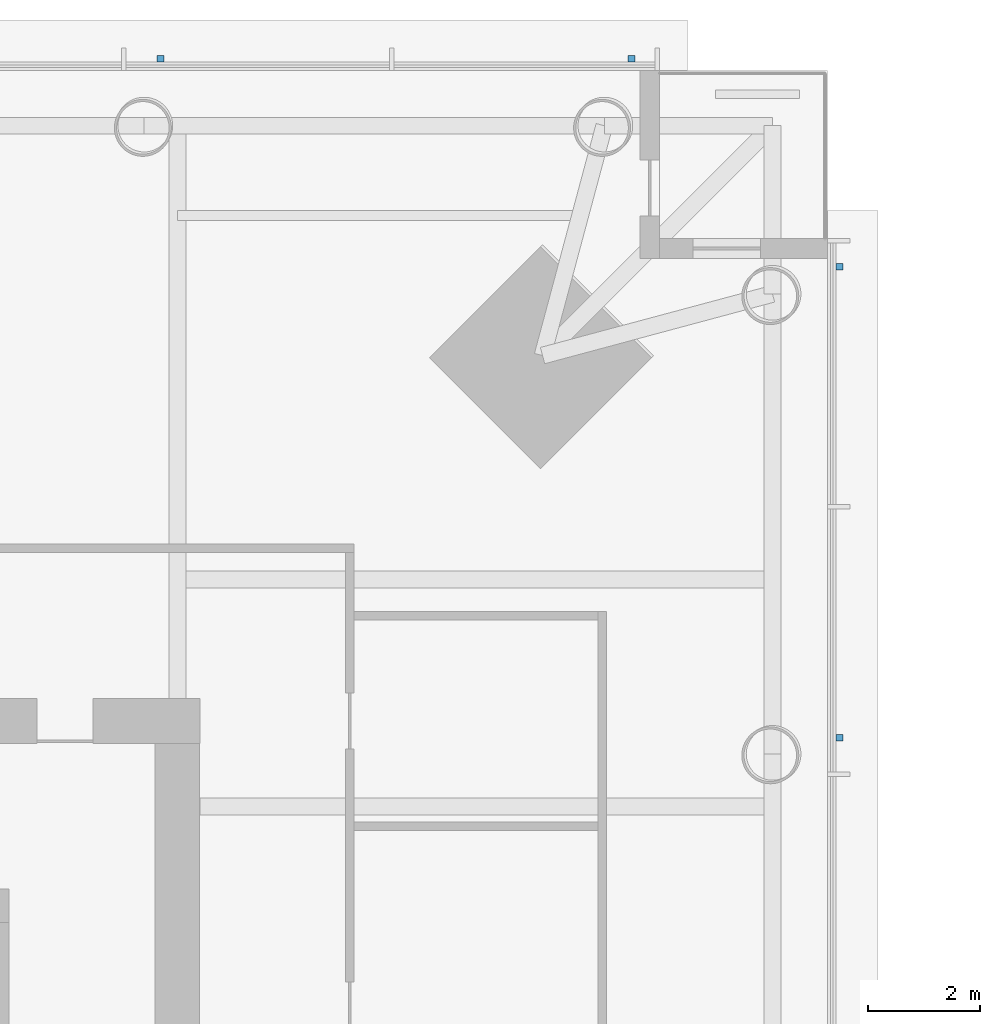
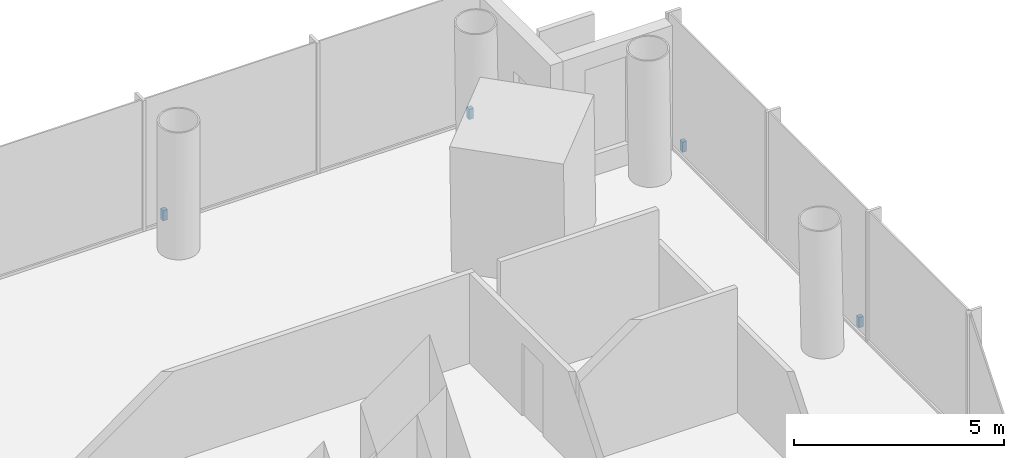
# One storey, part 21 of 26: 4 discrete accessories.
"""IFC4 building model written with IfcOpenShell, lengths in metres."""

from ifc_helpers import new_model, si_unit, direction, frame, origin, origin_2d, place, context, subcontext, project, spatial, rectangle, extrude, material, type_object, element, save


model = new_model("IFC4")

# Units and contexts
model_context = context("Model", 3, precision=1e-05, world=origin(), true_north=direction((0.0, 1.0)))
body_context = subcontext(model_context, "Body", "Model", "MODEL_VIEW")
ifc_project = project(units=[si_unit("LENGTHUNIT", "METRE"), si_unit("AREAUNIT", "SQUARE_METRE"), si_unit("VOLUMEUNIT", "CUBIC_METRE"), si_unit("PLANEANGLEUNIT", "RADIAN"), si_unit("MASSUNIT", "GRAM", prefix="KILO")], contexts=[model_context])

# Site, building, storey
site_placement = place(None, origin())
site = spatial("IfcSite", under=ifc_project, at=site_placement, CompositionType="ELEMENT")
building_placement = place(site_placement, origin())
building = spatial("IfcBuilding", under=site, at=building_placement, Name="Ostroluk Exchange", CompositionType="ELEMENT")
storey_placement = place(building_placement, frame((0.0, 0.0, 36.199951171875)))
storey = spatial("IfcBuildingStorey", under=building, at=storey_placement, Name="L08", CompositionType="ELEMENT", Elevation=36.199951171875)

# Discrete accessories
ifc_material = material(Name="Stainless steel", Category="steel")
discrete_accessory_type = type_object("IfcDiscreteAccessoryType", Name="Fall-arrest anchor PN-EN 795 type C", PredefinedType="USERDEFINED", material=ifc_material)
for number, where, z_axis, x_axis, name in (
    (1, (69.7099609375, 58.60009765625, 0.0), (0.0, 0.0, 1.0), (1.0, 0.0, 0.0), "Fall-arrest anchor L08 east 5"),
    (2, (69.7099609375, 67.0, 0.0), (0.0, 0.0, 1.0), (1.0, 0.0, 0.0), "Fall-arrest anchor L08 east 6"),
    (3, (57.60009765625, 70.7099609375, 0.0), (0.0, 0.0, 1.0), (1.0, 0.0, 0.0), "Fall-arrest anchor L08 north 5"),
    (4, (66.0, 70.7099609375, 0.0), (0.0, 0.0, 1.0), (1.0, 0.0, 0.0), "Fall-arrest anchor L08 north 6"),
):
    element("IfcDiscreteAccessory", number, at=place(storey_placement, frame(where, z_axis=z_axis, x_axis=x_axis)), inside=storey, type_object=discrete_accessory_type, Name=name, ObjectType="FALL ARREST ANCHOR", PredefinedType="USERDEFINED", context=body_context, shape_type="SweptSolid", body=[
        extrude(rectangle(XDim=0.1201171875, YDim=0.1201171875, at=origin_2d()), origin(), (0.0, 0.0, 1.0), 0.300048828125),
    ])

save(model, "model.ifc")
